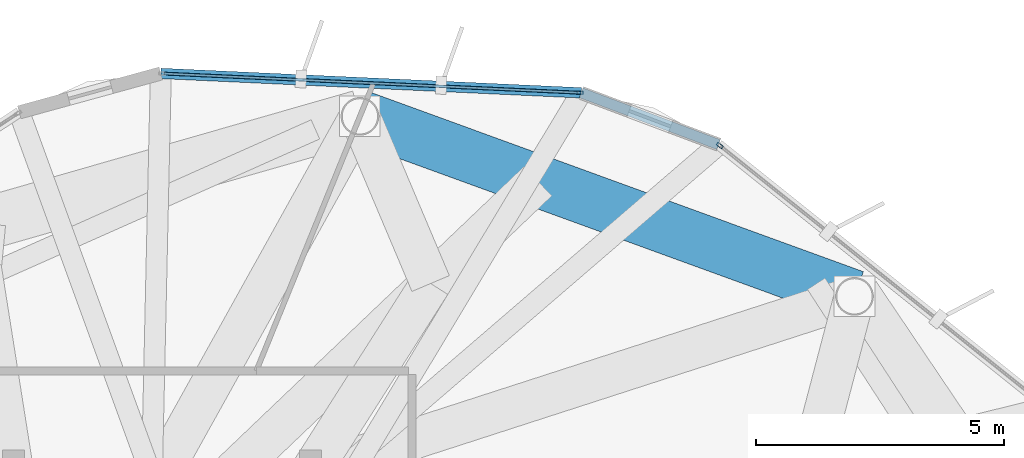
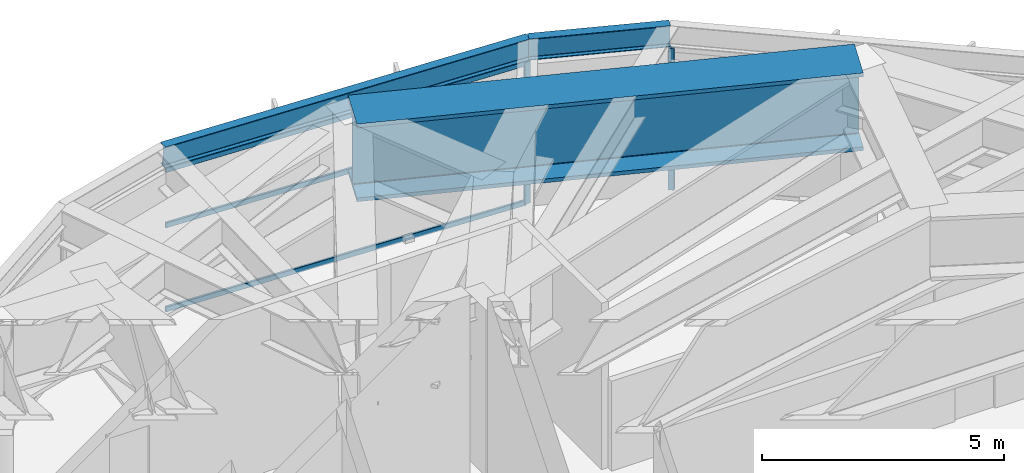
# One storey, part 20 of 27: 5 members, 3 beams, 2 elements without a shape of their own.
"""IFC4 building model written with IfcOpenShell, lengths in metres."""

import ifcopenshell
import ifcopenshell.guid

model = None  # the IFC model being written
_history = None  # IfcOwnerHistory: only IFC2X3 demands one
_inside = {}  # id of a spatial element -> (the spatial element, [elements in it])
_under = {}  # id of a project, library or spatial element -> (it, [spatial elements below it])
_declared = {}  # id of a project -> (the project, [libraries it declares])
_typed = {}  # id of a type object -> (the type object, [elements of that type])
_made_of = {}  # id of a material, layer set ... -> (it, [elements and type objects made of it])


def new_model(schema):
    """Start an empty IFC model of exactly this schema.

    Asked for "IFC4X3", IfcOpenShell would pick the latest addendum, in which some entities
    have other attributes; the version numbers below select the first issue.
    IFC2X3 requires an IfcOwnerHistory on every rooted entity: one is made here for all.
    """
    global model, _history
    if schema == "IFC4X3":
        model = ifcopenshell.file(schema_version=(4, 3, 0, 0))
    else:
        model = ifcopenshell.file(schema=schema)
    _inside.clear()
    _under.clear()
    _declared.clear()
    _typed.clear()
    _made_of.clear()
    _history = None
    if model.schema == "IFC2X3":
        org = make("IfcOrganization", Name="unknown")
        user = make(
            "IfcPersonAndOrganization",
            ThePerson=make("IfcPerson", FamilyName="unknown"),
            TheOrganization=org,
        )
        app = make(
            "IfcApplication",
            ApplicationDeveloper=org,
            Version="unknown",
            ApplicationFullName="unknown",
            ApplicationIdentifier="unknown",
        )
        _history = make(
            "IfcOwnerHistory",
            OwningUser=user,
            OwningApplication=app,
            ChangeAction="ADDED",
            CreationDate=0,
        )
    return model


def make(cls, **values):
    """One entity of the class cls with the attributes given. An attribute that is None is left unset."""
    return model.create_entity(
        cls, **{name: value for name, value in values.items() if value is not None}
    )


def rooted(cls, **values):
    """An entity with a GlobalId (a new one), such as an element, a storey or a relation."""
    return make(cls, GlobalId=ifcopenshell.guid.new(), OwnerHistory=_history, **values)


def si_unit(unit_type, name, prefix=None):
    """IfcSIUnit, for example si_unit("LENGTHUNIT", "METRE", prefix="MILLI")."""
    return make("IfcSIUnit", UnitType=unit_type, Prefix=prefix, Name=name)


def assignment(units):
    """IfcUnitAssignment: the units of a project."""
    return None if units is None else make("IfcUnitAssignment", Units=units)


def point(xyz):
    """IfcCartesianPoint."""
    return None if xyz is None else make("IfcCartesianPoint", Coordinates=xyz)


def direction(xyz):
    """IfcDirection."""
    return None if xyz is None else make("IfcDirection", DirectionRatios=xyz)


def frame(location, z_axis=None, x_axis=None):
    """IfcAxis2Placement3D, a coordinate frame: its origin and axes. An axis left out is left unset."""
    return make(
        "IfcAxis2Placement3D",
        Location=point(location),
        Axis=direction(z_axis),
        RefDirection=direction(x_axis),
    )


def frame_2d(location, x_axis=None):
    """IfcAxis2Placement2D, a coordinate frame in the plane: its origin and x axis."""
    return make(
        "IfcAxis2Placement2D", Location=point(location), RefDirection=direction(x_axis)
    )


def origin():
    """The frame at (0, 0, 0) with its axes left unset."""
    return frame((0.0, 0.0, 0.0))


def origin_2d():
    """The frame at (0, 0) in the plane with its x axis left unset."""
    return frame_2d((0.0, 0.0))


def place(relative_to, where):
    """IfcLocalPlacement: puts the frame where relative to a parent placement (None: the world)."""
    return make(
        "IfcLocalPlacement", PlacementRelTo=relative_to, RelativePlacement=where
    )


def context(
    kind, dimensions, precision=None, world=None, true_north=None, identifier=None
):
    """IfcGeometricRepresentationContext, for example the 3D "Model" context."""
    return make(
        "IfcGeometricRepresentationContext",
        ContextIdentifier=identifier,
        ContextType=kind,
        CoordinateSpaceDimension=dimensions,
        Precision=precision,
        WorldCoordinateSystem=world,
        TrueNorth=true_north,
    )


def subcontext(parent, identifier, kind, view, scale=None):
    """IfcGeometricRepresentationSubContext, for example "Body" below "Model"."""
    return make(
        "IfcGeometricRepresentationSubContext",
        ContextIdentifier=identifier,
        ContextType=kind,
        ParentContext=parent,
        TargetScale=scale,
        TargetView=view,
    )


def project(units=None, contexts=None):
    """IfcProject with its units and contexts."""
    return rooted(
        "IfcProject",
        Name="project",
        RepresentationContexts=contexts,
        UnitsInContext=assignment(units),
    )


def spatial(cls, under=None, at=None, **own):
    """A site, building, storey or space (cls), placed at a placement, below another one or the project."""
    s = rooted(cls, ObjectPlacement=at, **own)
    if under is not None:
        _under.setdefault(under.id(), (under, []))[1].append(s)
    return s


def profile(cls, at=None, kind="AREA", **sizes):
    """A parametric profile (cls). Its sizes go by their IFC names, for example OverallWidth=200.0."""
    return make(cls, ProfileType=kind, Position=at, **sizes)


def hollow_rectangle(**sizes):
    """IfcRectangleHollowProfileDef."""
    return profile("IfcRectangleHollowProfileDef", **sizes)


def i_section(**sizes):
    """IfcIShapeProfileDef."""
    return profile("IfcIShapeProfileDef", **sizes)


def extrude(swept, where, along, depth):
    """IfcExtrudedAreaSolid: the profile swept, set in the frame where, extruded along a direction by depth."""
    return make(
        "IfcExtrudedAreaSolid",
        SweptArea=swept,
        Position=where,
        ExtrudedDirection=direction(along),
        Depth=depth,
    )


def shape(context_of_items, identifier, shape_type, items):
    """IfcShapeRepresentation: the items that make up one representation, for example the "Body"."""
    return make(
        "IfcShapeRepresentation",
        ContextOfItems=context_of_items,
        RepresentationIdentifier=identifier,
        RepresentationType=shape_type,
        Items=items,
    )


def material(Name=None, Category=None):
    """IfcMaterial."""
    return make("IfcMaterial", Name=Name, Category=Category)


def layer(
    of_material, thickness, ventilated=None, Name=None, Category=None, Priority=None
):
    """IfcMaterialLayer: one layer of a wall or slab, of a material (None: an air gap)."""
    return make(
        "IfcMaterialLayer",
        Material=of_material,
        LayerThickness=thickness,
        IsVentilated=ventilated,
        Name=Name,
        Category=Category,
        Priority=Priority,
    )


def layer_set(layers, Name=None):
    """IfcMaterialLayerSet."""
    return make("IfcMaterialLayerSet", MaterialLayers=layers, LayerSetName=Name)


def material_profile(
    of_material, cross_section, Name=None, Category=None, Priority=None
):
    """IfcMaterialProfile: a cross section and its material."""
    return make(
        "IfcMaterialProfile",
        Name=Name,
        Material=of_material,
        Profile=cross_section,
        Priority=Priority,
        Category=Category,
    )


def profile_set(profiles, Name=None, composite=None):
    """IfcMaterialProfileSet."""
    return make(
        "IfcMaterialProfileSet",
        Name=Name,
        MaterialProfiles=profiles,
        CompositeProfile=composite,
    )


def made_of(thing, what):
    """Note that an element or type object is made of a material, layer set ...; save() writes the relation."""
    if what is not None:
        _made_of.setdefault(what.id(), (what, []))[1].append(thing)
    return thing


def type_object(cls, material=None, **own):
    """A type object (cls), such as IfcWallType, which elements share."""
    return made_of(rooted(cls, **own), material)


def element(
    cls,
    number,
    at=None,
    inside=None,
    cuts=None,
    type_object=None,
    material=None,
    context=None,
    identifier="Body",
    shape_type=None,
    held_by="IfcProductDefinitionShape",
    body=None,
    shapes=None,
    **own,
):
    """One element of the class cls, such as IfcWall. Its Tag is "e" and its number.

    at: its placement. inside: the storey or other place that contains it. cuts: it is an
    opening in that element (IfcRelVoidsElement). A single representation is given by context,
    identifier, shape_type and body (its items); several are given by shapes. held_by: the class
    of the entity that holds the representations. save() writes the other relations.
    """
    e = rooted(cls, Tag="e%d" % number, ObjectPlacement=at, **own)
    if body is not None:
        shapes = [shape(context, identifier, shape_type, body)]
    if shapes is not None:
        e.Representation = make(held_by, Representations=shapes)
    if inside is not None:
        _inside.setdefault(inside.id(), (inside, []))[1].append(e)
    if cuts is not None:
        rooted(
            "IfcRelVoidsElement", RelatingBuildingElement=cuts, RelatedOpeningElement=e
        )
    if type_object is not None:
        _typed.setdefault(type_object.id(), (type_object, []))[1].append(e)
    return made_of(e, material)


def aggregate(whole, parts):
    """IfcRelAggregates: a whole, such as a stair, and the parts it consists of."""
    return rooted("IfcRelAggregates", RelatingObject=whole, RelatedObjects=parts)


def save(model, path):
    """Write the relations noted so far, then the file.

    IfcRelAggregates (storeys below a building ...), IfcRelContainedInSpatialStructure (elements
    in a storey), IfcRelDefinesByType, IfcRelAssociatesMaterial and IfcRelDeclares: one each for
    every whole, place, type object, material and project.
    """
    for whole, parts in _under.values():
        aggregate(whole, parts)
    for where, things in _inside.values():
        rooted(
            "IfcRelContainedInSpatialStructure",
            RelatedElements=things,
            RelatingStructure=where,
        )
    for kind, things in _typed.values():
        rooted("IfcRelDefinesByType", RelatedObjects=things, RelatingType=kind)
    for what, things in _made_of.values():
        rooted("IfcRelAssociatesMaterial", RelatedObjects=things, RelatingMaterial=what)
    for by, libraries in _declared.values():
        rooted("IfcRelDeclares", RelatingContext=by, RelatedDefinitions=libraries)
    model.write(path)


model = new_model("IFC4")

# Units and contexts
model_context = context("Model", 3, precision=1e-05, world=origin(), true_north=direction((0.0, 1.0)))
body_context = subcontext(model_context, "Body", "Model", "MODEL_VIEW")
ifc_project = project(units=[si_unit("LENGTHUNIT", "METRE"), si_unit("AREAUNIT", "SQUARE_METRE"), si_unit("VOLUMEUNIT", "CUBIC_METRE"), si_unit("PLANEANGLEUNIT", "RADIAN"), si_unit("MASSUNIT", "GRAM", prefix="KILO")], contexts=[model_context])

# Site, building, storey
site_placement = place(None, origin())
site = spatial("IfcSite", under=ifc_project, at=site_placement, CompositionType="ELEMENT")
building_placement = place(site_placement, origin())
building = spatial("IfcBuilding", under=site, at=building_placement, Name="Soratama Intermodal Tower", CompositionType="ELEMENT")
storey_placement = place(building_placement, frame((0.0, 0.0, 288.550048828125)))
storey = spatial("IfcBuildingStorey", under=building, at=storey_placement, Name="L73", CompositionType="ELEMENT", Elevation=288.550048828125)

# Beams
ifc_material_1 = material(Name="Structural steel ASTM A992 Grade 50", Category="steel")
ifc_material_profile_1 = material_profile(ifc_material_1, i_section(OverallWidth=0.2099609375, OverallDepth=0.537109375, WebThickness=0.010986328125, FlangeThickness=0.017333984375, FilletRadius=0.012939453125, at=origin_2d()), Name="W21X68")
ifc_profile_set_1 = profile_set([ifc_material_profile_1], Name="Structural steel ASTM A992 Grade 50")
beam_type_1 = type_object("IfcBeamType", Name="BM-SPN-W21X68", PredefinedType="SPANDREL", material=ifc_profile_set_1)
beam_1_placement = place(storey_placement, frame((50.069091796875, 42.6650390625, 3.926513671875), z_axis=(-0.998936915087, 0.046098152637, 0.0), x_axis=(-0.046098152637, -0.998936915087, 0.0)))
element("IfcBeam", 1, at=beam_1_placement, inside=storey, type_object=beam_type_1, Name="BS-L73-F01", PredefinedType="SPANDREL", context=body_context, shape_type="SweptSolid", body=[
    extrude(i_section(OverallWidth=0.2099609375, OverallDepth=0.537109375, WebThickness=0.010986328125, FlangeThickness=0.017333984375, FilletRadius=0.012939453125, at=origin_2d()), origin(), (0.0, 0.0, 1.0), 8.500244140625),
])
beam_2_placement = place(storey_placement, frame((52.844970703125, 41.618896484375, 3.926513671875), z_axis=(-0.935752948389, 0.352656234287, 0.0), x_axis=(-0.352656234287, -0.935752948389, 0.0)))
element("IfcBeam", 2, at=beam_2_placement, inside=storey, type_object=beam_type_1, Name="BS-L73-CRN10", PredefinedType="SPANDREL", context=body_context, shape_type="SweptSolid", body=[
    extrude(i_section(OverallWidth=0.2099609375, OverallDepth=0.537109375, WebThickness=0.010986328125, FlangeThickness=0.017333984375, FilletRadius=0.012939453125, at=origin_2d()), origin(), (0.0, 0.0, 1.0), 2.966552734375),
])
ifc_material_2 = material(Name="Structural steel ASTM A992 Grade 50", Category="steel")
ifc_material_profile_2 = material_profile(ifc_material_2, i_section(OverallWidth=1.06005859375, OverallDepth=1.9599609375, WebThickness=0.05810546875, FlangeThickness=0.095947265625, FilletRadius=0.02392578125, at=origin_2d()), Name="PG2400X900")
ifc_profile_set_2 = profile_set([ifc_material_profile_2], Name="Structural steel ASTM A992 Grade 50")
beam_type_2 = type_object("IfcBeamType", Name="BM-ZSTEP-PG2400", PredefinedType="BEAM", material=ifc_profile_set_2)
beam_3_placement = place(storey_placement, frame((55.589111328125, 38.553955078125, 3.21484375), z_axis=(-0.939684073866, 0.342043624883, 0.0), x_axis=(-0.342043624883, -0.939684073866, 0.0)))
element("IfcBeam", 3, at=beam_3_placement, inside=storey, type_object=beam_type_2, Name="BM-L73-RING-02", PredefinedType="BEAM", context=body_context, shape_type="SweptSolid", body=[
    extrude(i_section(OverallWidth=1.06005859375, OverallDepth=1.9599609375, WebThickness=0.05810546875, FlangeThickness=0.095947265625, FilletRadius=0.02392578125, at=origin_2d()), origin(), (0.0, 0.0, 1.0), 10.630126953125),
])

# Curtain wall, member
ifc_material_3 = material(Name="Double-glazed aluminium curtain wall", Category="aluminium")
ifc_layer = layer(ifc_material_3, 0.159912109375)
ifc_layer_set = layer_set([ifc_layer], Name="Double-glazed aluminium curtain wall")
curtain_wall_type = type_object("IfcCurtainWallType", Name="CW-SYS-6", PredefinedType="NOTDEFINED", material=ifc_layer_set)
curtain_wall_1_placement = place(storey_placement, origin())
curtain_wall_1 = element("IfcCurtainWall", 4, at=curtain_wall_1_placement, inside=storey, type_object=curtain_wall_type, Name="L73 Faceted Curtain Wall F01", PredefinedType="NOTDEFINED")
ifc_material_4 = material(Name="Anodised aluminium AA 6063-T6", Category="aluminium")
ifc_material_profile_3 = material_profile(ifc_material_4, hollow_rectangle(XDim=0.06494140625, YDim=0.139892578125, WallThickness=0.0048828125, InnerFilletRadius=0.0048828125, OuterFilletRadius=0.010009765625, at=origin_2d()), Name="CWM140X65X5")
ifc_profile_set_3 = profile_set([ifc_material_profile_3], Name="Anodised aluminium AA 6063-T6")
member_type_1 = type_object("IfcMemberType", Name="MT-CWM-6", PredefinedType="MULLION", material=ifc_profile_set_3)
member_1_placement = place(storey_placement, frame((50.038818359375, 42.66650390625, 0.0), z_axis=(0.0, 0.0, 1.0), x_axis=(-0.04606033486, -0.998938659555, 0.0)))
member_1 = element("IfcMember", 5, at=member_1_placement, type_object=member_type_1, Name="CW-6 mullion 1", PredefinedType="MULLION", context=body_context, shape_type="SweptSolid", body=[
    extrude(hollow_rectangle(XDim=0.06494140625, YDim=0.139892578125, WallThickness=0.0048828125, InnerFilletRadius=0.0048828125, OuterFilletRadius=0.010009765625, at=origin_2d()), origin(), (0.0, 0.0, 1.0), 3.573974609375),
])

curtain_wall_2_placement = place(storey_placement, origin())
curtain_wall_2 = element("IfcCurtainWall", 6, at=curtain_wall_2_placement, inside=storey, type_object=curtain_wall_type, Name="L73 Faceted Curtain Wall F10", PredefinedType="NOTDEFINED")
member_2_placement = place(storey_placement, frame((52.86865234375, 41.6005859375, 0.0), z_axis=(0.0, 0.0, 1.0), x_axis=(-0.624423842519, -0.781085696255, 0.0)))
member_2 = element("IfcMember", 7, at=member_2_placement, type_object=member_type_1, Name="CW-6 mullion 2", PredefinedType="MULLION", context=body_context, shape_type="SweptSolid", body=[
    extrude(hollow_rectangle(XDim=0.06494140625, YDim=0.139892578125, WallThickness=0.0048828125, InnerFilletRadius=0.0048828125, OuterFilletRadius=0.010009765625, at=origin_2d()), origin(), (0.0, 0.0, 1.0), 3.573974609375),
])
aggregate(curtain_wall_2, [member_2])

# Member
ifc_material_5 = material(Name="Anodised aluminium AA 6063-T6", Category="aluminium")
ifc_material_profile_4 = material_profile(ifc_material_5, hollow_rectangle(XDim=0.06005859375, YDim=0.1298828125, WallThickness=0.0048828125, InnerFilletRadius=0.0048828125, OuterFilletRadius=0.010009765625, at=origin_2d()), Name="CWT130X60X5")
ifc_profile_set_4 = profile_set([ifc_material_profile_4], Name="Anodised aluminium AA 6063-T6")
member_type_2 = type_object("IfcMemberType", Name="TT-CWT-2", PredefinedType="USERDEFINED", material=ifc_profile_set_4)
member_3_placement = place(storey_placement, frame((50.009033203125, 42.66796875, 0.030029296875), z_axis=(-0.998938590685, 0.046061828444, 0.0), x_axis=(-0.046061828444, -0.998938590685, 0.0)))
member_3 = element("IfcMember", 8, at=member_3_placement, type_object=member_type_2, Name="CW-6 transom 1.1", ObjectType="TRANSOM", PredefinedType="USERDEFINED", context=body_context, shape_type="SweptSolid", body=[
    extrude(hollow_rectangle(XDim=0.06005859375, YDim=0.1298828125, WallThickness=0.0048828125, InnerFilletRadius=0.0048828125, OuterFilletRadius=0.010009765625, at=origin_2d()), origin(), (0.0, 0.0, 1.0), 8.379638671875),
])

member_4_placement = place(storey_placement, frame((50.009033203125, 42.66796875, 2.14990234375), z_axis=(-0.998938590685, 0.046061828444, 0.0), x_axis=(-0.046061828444, -0.998938590685, 0.0)))
member_4 = element("IfcMember", 9, at=member_4_placement, type_object=member_type_2, Name="CW-6 transom 1.2", ObjectType="TRANSOM", PredefinedType="USERDEFINED", context=body_context, shape_type="SweptSolid", body=[
    extrude(hollow_rectangle(XDim=0.06005859375, YDim=0.1298828125, WallThickness=0.0048828125, InnerFilletRadius=0.0048828125, OuterFilletRadius=0.010009765625, at=origin_2d()), origin(), (0.0, 0.0, 1.0), 8.379638671875),
])

member_5_placement = place(storey_placement, frame((50.009033203125, 42.66796875, 3.5439453125), z_axis=(-0.998938590685, 0.046061828444, 0.0), x_axis=(-0.046061828444, -0.998938590685, 0.0)))
member_5 = element("IfcMember", 10, at=member_5_placement, type_object=member_type_2, Name="CW-6 transom 1.3", ObjectType="TRANSOM", PredefinedType="USERDEFINED", context=body_context, shape_type="SweptSolid", body=[
    extrude(hollow_rectangle(XDim=0.06005859375, YDim=0.1298828125, WallThickness=0.0048828125, InnerFilletRadius=0.0048828125, OuterFilletRadius=0.010009765625, at=origin_2d()), origin(), (0.0, 0.0, 1.0), 8.379638671875),
])

aggregate(curtain_wall_1, [member_1, member_3, member_4, member_5])

save(model, "model.ifc")
